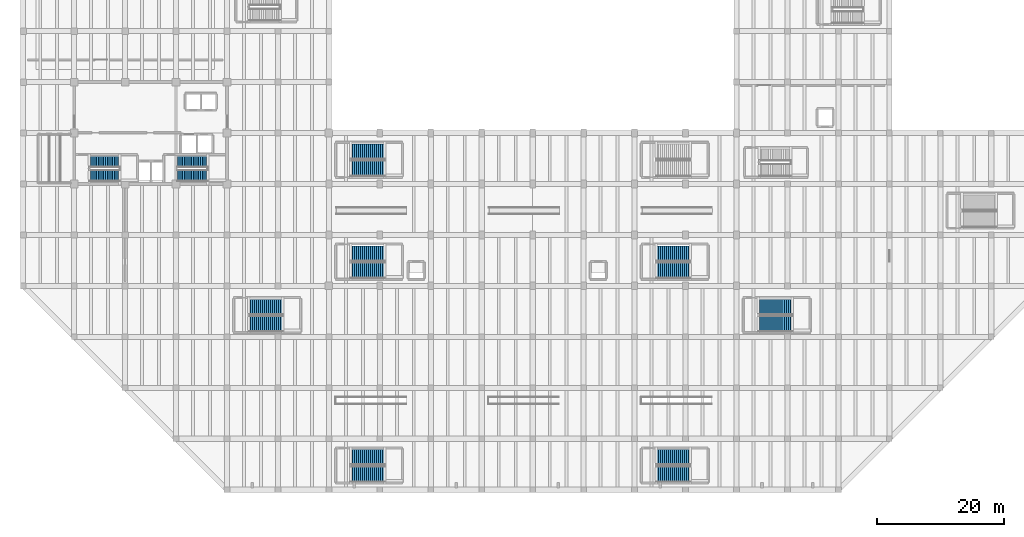
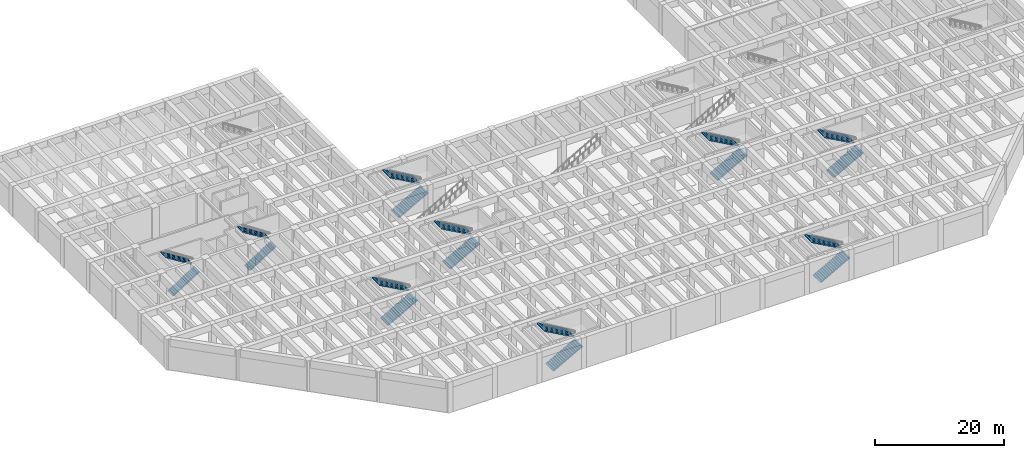
# One storey, part 13 of 24: 18 stair flights, 9 elements without a shape of their own.
"""IFC4 building model written with IfcOpenShell, lengths in metres."""

from ifc_helpers import new_model, si_unit, direction, frame, origin, place, context, subcontext, project, spatial, polyline, outline, extrude, material, type_object, element, aggregate, save


model = new_model("IFC4")

# Units and contexts
model_context = context("Model", 3, precision=1e-05, world=origin(), true_north=direction((0.0, 1.0)))
body_context = subcontext(model_context, "Body", "Model", "MODEL_VIEW")
ifc_project = project(units=[si_unit("LENGTHUNIT", "METRE"), si_unit("AREAUNIT", "SQUARE_METRE"), si_unit("VOLUMEUNIT", "CUBIC_METRE"), si_unit("PLANEANGLEUNIT", "RADIAN"), si_unit("MASSUNIT", "GRAM", prefix="KILO")], contexts=[model_context])

# Site, building, storey
site_placement = place(None, origin())
site = spatial("IfcSite", under=ifc_project, at=site_placement, CompositionType="ELEMENT")
building_placement = place(site_placement, origin())
building = spatial("IfcBuilding", under=site, at=building_placement, Name="Varnela Railside Interchange", CompositionType="ELEMENT")
storey_placement = place(building_placement, frame((0.0, 0.0, -6.300048828125)))
storey = spatial("IfcBuildingStorey", under=building, at=storey_placement, Name="B1", CompositionType="ELEMENT", Elevation=-6.300048828125)

# Stair, stair flights
ifc_material = material(Name="Concrete C40", Category="concrete")
stair_type_1 = type_object("IfcStairType", Name="Core Pressurized Stair ST-165", PredefinedType="TWO_STRAIGHT_RUN_STAIR", material=ifc_material)
stair_1_placement = place(storey_placement, origin())
stair_1 = element("IfcStair", 1, at=stair_1_placement, inside=storey, type_object=stair_type_1, Name="Stair ST-T1 (B1) (SF-076)", PredefinedType="TWO_STRAIGHT_RUN_STAIR")
stair_flight_type_1 = type_object("IfcStairFlightType", Name="Concrete Stair Flight SF-165", PredefinedType="STRAIGHT", material=ifc_material)
stair_flight_1_placement = place(storey_placement, frame((14.39990234375, 55.324951171875, 0.0), z_axis=(0.0, 0.0, 1.0), x_axis=(1.0, 0.0, 0.0)))
stair_flight_1 = element("IfcStairFlight", 2, at=stair_flight_1_placement, type_object=stair_flight_type_1, Name="ST-T1 flight 1 (SF-077)", NumberOfRisers=18, NumberOfTreads=17, PredefinedType="STRAIGHT", RiserHeight=0.175, TreadLength=0.28, context=body_context, shape_type="SweptSolid", body=[
    extrude(outline(polyline([(0.0, 0.0), (0.0, 0.175048828125), (0.280029296875, 0.175048828125), (0.280029296875, 0.35009765625), (0.56005859375, 0.35009765625), (0.56005859375, 0.52490234375), (0.840087890625, 0.52490234375), (0.840087890625, 0.699951171875), (1.1201171875, 0.699951171875), (1.1201171875, 0.875), (1.39990234375, 0.875), (1.39990234375, 1.050048828125), (1.679931640625, 1.050048828125), (1.679931640625, 1.22509765625), (1.9599609375, 1.22509765625), (1.9599609375, 1.39990234375), (2.239990234375, 1.39990234375), (2.239990234375, 1.574951171875), (2.52001953125, 1.574951171875), (2.52001953125, 1.75), (2.800048828125, 1.75), (2.800048828125, 1.925048828125), (3.080078125, 1.925048828125), (3.080078125, 2.10009765625), (3.360107421875, 2.10009765625), (3.360107421875, 2.27490234375), (3.639892578125, 2.27490234375), (3.639892578125, 2.449951171875), (3.919921875, 2.449951171875), (3.919921875, 2.625), (4.199951171875, 2.625), (4.199951171875, 2.800048828125), (4.47998046875, 2.800048828125), (4.47998046875, 2.97509765625), (4.760009765625, 2.97509765625), (4.760009765625, 3.14990234375), (4.760009765625, 2.786376953125), (0.3017578125, 0.0), (0.0, 0.0)])), frame((0.0, 0.824951171875, 0.0), z_axis=(0.0, -1.0, 0.0), x_axis=(1.0, 0.0, 0.0)), (0.0, 0.0, 1.0), 1.64990234375),
])
stair_flight_2_placement = place(storey_placement, frame((19.159912109375, 57.47509765625, 3.150146484375), z_axis=(0.0, 0.0, 1.0), x_axis=(-1.0, 0.0, 0.0)))
stair_flight_2 = element("IfcStairFlight", 3, at=stair_flight_2_placement, type_object=stair_flight_type_1, Name="ST-T1 flight 2 (SF-078)", NumberOfRisers=18, NumberOfTreads=17, PredefinedType="STRAIGHT", RiserHeight=0.175, TreadLength=0.28, context=body_context, shape_type="SweptSolid", body=[
    extrude(outline(polyline([(0.0, 0.0), (0.0, 0.175048828125), (0.280029296875, 0.175048828125), (0.280029296875, 0.35009765625), (0.56005859375, 0.35009765625), (0.56005859375, 0.52490234375), (0.840087890625, 0.52490234375), (0.840087890625, 0.699951171875), (1.1201171875, 0.699951171875), (1.1201171875, 0.875), (1.39990234375, 0.875), (1.39990234375, 1.050048828125), (1.679931640625, 1.050048828125), (1.679931640625, 1.22509765625), (1.9599609375, 1.22509765625), (1.9599609375, 1.39990234375), (2.239990234375, 1.39990234375), (2.239990234375, 1.574951171875), (2.52001953125, 1.574951171875), (2.52001953125, 1.75), (2.800048828125, 1.75), (2.800048828125, 1.925048828125), (3.080078125, 1.925048828125), (3.080078125, 2.10009765625), (3.360107421875, 2.10009765625), (3.360107421875, 2.27490234375), (3.639892578125, 2.27490234375), (3.639892578125, 2.449951171875), (3.919921875, 2.449951171875), (3.919921875, 2.625), (4.199951171875, 2.625), (4.199951171875, 2.800048828125), (4.47998046875, 2.800048828125), (4.47998046875, 2.97509765625), (4.760009765625, 2.97509765625), (4.760009765625, 3.14990234375), (4.760009765625, 2.786376953125), (0.3017578125, 0.0), (0.0, 0.0)])), frame((0.0, 0.824951171875, 0.0), z_axis=(0.0, -1.0, 0.0), x_axis=(1.0, 0.0, 0.0)), (0.0, 0.0, 1.0), 1.64990234375),
])
aggregate(stair_1, [stair_flight_1, stair_flight_2])

stair_2_placement = place(storey_placement, origin())
stair_2 = element("IfcStair", 4, at=stair_2_placement, inside=storey, type_object=stair_type_1, Name="Stair ST-T2 (B1) (SF-079)", PredefinedType="TWO_STRAIGHT_RUN_STAIR")
stair_flight_3_placement = place(storey_placement, frame((28.199951171875, 55.324951171875, 0.0), z_axis=(0.0, 0.0, 1.0), x_axis=(1.0, 0.0, 0.0)))
stair_flight_3 = element("IfcStairFlight", 5, at=stair_flight_3_placement, type_object=stair_flight_type_1, Name="ST-T2 flight 1 (SF-080)", NumberOfRisers=18, NumberOfTreads=17, PredefinedType="STRAIGHT", RiserHeight=0.175, TreadLength=0.28, context=body_context, shape_type="SweptSolid", body=[
    extrude(outline(polyline([(0.0, 0.0), (0.0, 0.175048828125), (0.280029296875, 0.175048828125), (0.280029296875, 0.35009765625), (0.56005859375, 0.35009765625), (0.56005859375, 0.52490234375), (0.840087890625, 0.52490234375), (0.840087890625, 0.699951171875), (1.1201171875, 0.699951171875), (1.1201171875, 0.875), (1.39990234375, 0.875), (1.39990234375, 1.050048828125), (1.679931640625, 1.050048828125), (1.679931640625, 1.22509765625), (1.9599609375, 1.22509765625), (1.9599609375, 1.39990234375), (2.239990234375, 1.39990234375), (2.239990234375, 1.574951171875), (2.52001953125, 1.574951171875), (2.52001953125, 1.75), (2.800048828125, 1.75), (2.800048828125, 1.925048828125), (3.080078125, 1.925048828125), (3.080078125, 2.10009765625), (3.360107421875, 2.10009765625), (3.360107421875, 2.27490234375), (3.639892578125, 2.27490234375), (3.639892578125, 2.449951171875), (3.919921875, 2.449951171875), (3.919921875, 2.625), (4.199951171875, 2.625), (4.199951171875, 2.800048828125), (4.47998046875, 2.800048828125), (4.47998046875, 2.97509765625), (4.760009765625, 2.97509765625), (4.760009765625, 3.14990234375), (4.760009765625, 2.786376953125), (0.3017578125, 0.0), (0.0, 0.0)])), frame((0.0, 0.824951171875, 0.0), z_axis=(0.0, -1.0, 0.0), x_axis=(1.0, 0.0, 0.0)), (0.0, 0.0, 1.0), 1.64990234375),
])
stair_flight_4_placement = place(storey_placement, frame((32.9599609375, 57.47509765625, 3.150146484375), z_axis=(0.0, 0.0, 1.0), x_axis=(-1.0, 0.0, 0.0)))
stair_flight_4 = element("IfcStairFlight", 6, at=stair_flight_4_placement, type_object=stair_flight_type_1, Name="ST-T2 flight 2 (SF-081)", NumberOfRisers=18, NumberOfTreads=17, PredefinedType="STRAIGHT", RiserHeight=0.175, TreadLength=0.28, context=body_context, shape_type="SweptSolid", body=[
    extrude(outline(polyline([(0.0, 0.0), (0.0, 0.175048828125), (0.280029296875, 0.175048828125), (0.280029296875, 0.35009765625), (0.56005859375, 0.35009765625), (0.56005859375, 0.52490234375), (0.840087890625, 0.52490234375), (0.840087890625, 0.699951171875), (1.1201171875, 0.699951171875), (1.1201171875, 0.875), (1.39990234375, 0.875), (1.39990234375, 1.050048828125), (1.679931640625, 1.050048828125), (1.679931640625, 1.22509765625), (1.9599609375, 1.22509765625), (1.9599609375, 1.39990234375), (2.239990234375, 1.39990234375), (2.239990234375, 1.574951171875), (2.52001953125, 1.574951171875), (2.52001953125, 1.75), (2.800048828125, 1.75), (2.800048828125, 1.925048828125), (3.080078125, 1.925048828125), (3.080078125, 2.10009765625), (3.360107421875, 2.10009765625), (3.360107421875, 2.27490234375), (3.639892578125, 2.27490234375), (3.639892578125, 2.449951171875), (3.919921875, 2.449951171875), (3.919921875, 2.625), (4.199951171875, 2.625), (4.199951171875, 2.800048828125), (4.47998046875, 2.800048828125), (4.47998046875, 2.97509765625), (4.760009765625, 2.97509765625), (4.760009765625, 3.14990234375), (4.760009765625, 2.786376953125), (0.3017578125, 0.0), (0.0, 0.0)])), frame((0.0, 0.824951171875, 0.0), z_axis=(0.0, -1.0, 0.0), x_axis=(1.0, 0.0, 0.0)), (0.0, 0.0, 1.0), 1.64990234375),
])
aggregate(stair_2, [stair_flight_3, stair_flight_4])

stair_type_2 = type_object("IfcStairType", Name="Concourse Public Stair ST-235", PredefinedType="TWO_STRAIGHT_RUN_STAIR", material=ifc_material)
stair_3_placement = place(storey_placement, origin())
stair_3 = element("IfcStair", 7, at=stair_3_placement, inside=storey, type_object=stair_type_2, Name="Stair ST-C1 (B1) (SF-043)", PredefinedType="TWO_STRAIGHT_RUN_STAIR")
stair_flight_type_2 = type_object("IfcStairFlightType", Name="Concrete Stair Flight SF-235", PredefinedType="STRAIGHT", material=ifc_material)
stair_flight_5_placement = place(storey_placement, frame((55.39990234375, 40.47509765625, 0.0), z_axis=(0.0, 0.0, 1.0), x_axis=(1.0, 0.0, 0.0)))
stair_flight_5 = element("IfcStairFlight", 8, at=stair_flight_5_placement, type_object=stair_flight_type_2, Name="ST-C1 flight 1 (SF-044)", NumberOfRisers=18, NumberOfTreads=17, PredefinedType="STRAIGHT", RiserHeight=0.175, TreadLength=0.315, context=body_context, shape_type="SweptSolid", body=[
    extrude(outline(polyline([(0.0, 0.0), (0.0, 0.175048828125), (0.31494140625, 0.175048828125), (0.31494140625, 0.35009765625), (0.6298828125, 0.35009765625), (0.6298828125, 0.52490234375), (0.945068359375, 0.52490234375), (0.945068359375, 0.699951171875), (1.260009765625, 0.699951171875), (1.260009765625, 0.875), (1.574951171875, 0.875), (1.574951171875, 1.050048828125), (1.889892578125, 1.050048828125), (1.889892578125, 1.22509765625), (2.205078125, 1.22509765625), (2.205078125, 1.39990234375), (2.52001953125, 1.39990234375), (2.52001953125, 1.574951171875), (2.8349609375, 1.574951171875), (2.8349609375, 1.75), (3.14990234375, 1.75), (3.14990234375, 1.925048828125), (3.465087890625, 1.925048828125), (3.465087890625, 2.10009765625), (3.780029296875, 2.10009765625), (3.780029296875, 2.27490234375), (4.094970703125, 2.27490234375), (4.094970703125, 2.449951171875), (4.409912109375, 2.449951171875), (4.409912109375, 2.625), (4.72509765625, 2.625), (4.72509765625, 2.800048828125), (5.0400390625, 2.800048828125), (5.0400390625, 2.97509765625), (5.35498046875, 2.97509765625), (5.35498046875, 3.14990234375), (5.35498046875, 2.7919921875), (0.329345703125, 0.0), (0.0, 0.0)])), frame((0.0, 1.175048828125, 0.0), z_axis=(0.0, -1.0, 0.0), x_axis=(1.0, 0.0, 0.0)), (0.0, 0.0, 1.0), 2.35009765625),
])
stair_flight_6_placement = place(storey_placement, frame((60.7548828125, 43.125, 3.150146484375), z_axis=(0.0, 0.0, 1.0), x_axis=(-1.0, 0.0, 0.0)))
stair_flight_6 = element("IfcStairFlight", 9, at=stair_flight_6_placement, type_object=stair_flight_type_2, Name="ST-C1 flight 2 (SF-045)", NumberOfRisers=18, NumberOfTreads=17, PredefinedType="STRAIGHT", RiserHeight=0.175, TreadLength=0.315, context=body_context, shape_type="SweptSolid", body=[
    extrude(outline(polyline([(0.0, 0.0), (0.0, 0.175048828125), (0.31494140625, 0.175048828125), (0.31494140625, 0.35009765625), (0.6298828125, 0.35009765625), (0.6298828125, 0.52490234375), (0.945068359375, 0.52490234375), (0.945068359375, 0.699951171875), (1.260009765625, 0.699951171875), (1.260009765625, 0.875), (1.574951171875, 0.875), (1.574951171875, 1.050048828125), (1.889892578125, 1.050048828125), (1.889892578125, 1.22509765625), (2.205078125, 1.22509765625), (2.205078125, 1.39990234375), (2.52001953125, 1.39990234375), (2.52001953125, 1.574951171875), (2.8349609375, 1.574951171875), (2.8349609375, 1.75), (3.14990234375, 1.75), (3.14990234375, 1.925048828125), (3.465087890625, 1.925048828125), (3.465087890625, 2.10009765625), (3.780029296875, 2.10009765625), (3.780029296875, 2.27490234375), (4.094970703125, 2.27490234375), (4.094970703125, 2.449951171875), (4.409912109375, 2.449951171875), (4.409912109375, 2.625), (4.72509765625, 2.625), (4.72509765625, 2.800048828125), (5.0400390625, 2.800048828125), (5.0400390625, 2.97509765625), (5.35498046875, 2.97509765625), (5.35498046875, 3.14990234375), (5.35498046875, 2.7919921875), (0.329345703125, 0.0), (0.0, 0.0)])), frame((0.0, 1.175048828125, 0.0), z_axis=(0.0, -1.0, 0.0), x_axis=(1.0, 0.0, 0.0)), (0.0, 0.0, 1.0), 2.35009765625),
])
aggregate(stair_3, [stair_flight_5, stair_flight_6])

stair_4_placement = place(storey_placement, origin())
stair_4 = element("IfcStair", 10, at=stair_4_placement, inside=storey, type_object=stair_type_2, Name="Stair ST-C2 (B1) (SF-046)", PredefinedType="TWO_STRAIGHT_RUN_STAIR")
stair_flight_7_placement = place(storey_placement, frame((103.39990234375, 40.47509765625, 0.0), z_axis=(0.0, 0.0, 1.0), x_axis=(1.0, 0.0, 0.0)))
stair_flight_7 = element("IfcStairFlight", 11, at=stair_flight_7_placement, type_object=stair_flight_type_2, Name="ST-C2 flight 1 (SF-047)", NumberOfRisers=18, NumberOfTreads=17, PredefinedType="STRAIGHT", RiserHeight=0.175, TreadLength=0.315, context=body_context, shape_type="SweptSolid", body=[
    extrude(outline(polyline([(0.0, 0.0), (0.0, 0.175048828125), (0.31494140625, 0.175048828125), (0.31494140625, 0.35009765625), (0.6298828125, 0.35009765625), (0.6298828125, 0.52490234375), (0.945068359375, 0.52490234375), (0.945068359375, 0.699951171875), (1.260009765625, 0.699951171875), (1.260009765625, 0.875), (1.574951171875, 0.875), (1.574951171875, 1.050048828125), (1.889892578125, 1.050048828125), (1.889892578125, 1.22509765625), (2.205078125, 1.22509765625), (2.205078125, 1.39990234375), (2.52001953125, 1.39990234375), (2.52001953125, 1.574951171875), (2.8349609375, 1.574951171875), (2.8349609375, 1.75), (3.14990234375, 1.75), (3.14990234375, 1.925048828125), (3.465087890625, 1.925048828125), (3.465087890625, 2.10009765625), (3.780029296875, 2.10009765625), (3.780029296875, 2.27490234375), (4.094970703125, 2.27490234375), (4.094970703125, 2.449951171875), (4.409912109375, 2.449951171875), (4.409912109375, 2.625), (4.72509765625, 2.625), (4.72509765625, 2.800048828125), (5.0400390625, 2.800048828125), (5.0400390625, 2.97509765625), (5.35498046875, 2.97509765625), (5.35498046875, 3.14990234375), (5.35498046875, 2.7919921875), (0.329345703125, 0.0), (0.0, 0.0)])), frame((0.0, 1.175048828125, 0.0), z_axis=(0.0, -1.0, 0.0), x_axis=(1.0, 0.0, 0.0)), (0.0, 0.0, 1.0), 2.35009765625),
])
stair_flight_8_placement = place(storey_placement, frame((108.7548828125, 43.125, 3.150146484375), z_axis=(0.0, 0.0, 1.0), x_axis=(-1.0, 0.0, 0.0)))
stair_flight_8 = element("IfcStairFlight", 12, at=stair_flight_8_placement, type_object=stair_flight_type_2, Name="ST-C2 flight 2 (SF-048)", NumberOfRisers=18, NumberOfTreads=17, PredefinedType="STRAIGHT", RiserHeight=0.175, TreadLength=0.315, context=body_context, shape_type="SweptSolid", body=[
    extrude(outline(polyline([(0.0, 0.0), (0.0, 0.175048828125), (0.31494140625, 0.175048828125), (0.31494140625, 0.35009765625), (0.6298828125, 0.35009765625), (0.6298828125, 0.52490234375), (0.945068359375, 0.52490234375), (0.945068359375, 0.699951171875), (1.260009765625, 0.699951171875), (1.260009765625, 0.875), (1.574951171875, 0.875), (1.574951171875, 1.050048828125), (1.889892578125, 1.050048828125), (1.889892578125, 1.22509765625), (2.205078125, 1.22509765625), (2.205078125, 1.39990234375), (2.52001953125, 1.39990234375), (2.52001953125, 1.574951171875), (2.8349609375, 1.574951171875), (2.8349609375, 1.75), (3.14990234375, 1.75), (3.14990234375, 1.925048828125), (3.465087890625, 1.925048828125), (3.465087890625, 2.10009765625), (3.780029296875, 2.10009765625), (3.780029296875, 2.27490234375), (4.094970703125, 2.27490234375), (4.094970703125, 2.449951171875), (4.409912109375, 2.449951171875), (4.409912109375, 2.625), (4.72509765625, 2.625), (4.72509765625, 2.800048828125), (5.0400390625, 2.800048828125), (5.0400390625, 2.97509765625), (5.35498046875, 2.97509765625), (5.35498046875, 3.14990234375), (5.35498046875, 2.7919921875), (0.329345703125, 0.0), (0.0, 0.0)])), frame((0.0, 1.175048828125, 0.0), z_axis=(0.0, -1.0, 0.0), x_axis=(1.0, 0.0, 0.0)), (0.0, 0.0, 1.0), 2.35009765625),
])
aggregate(stair_4, [stair_flight_7, stair_flight_8])

stair_5_placement = place(storey_placement, origin())
stair_5 = element("IfcStair", 13, at=stair_5_placement, inside=storey, type_object=stair_type_2, Name="Stair ST-C3 (B1) (SF-049)", PredefinedType="TWO_STRAIGHT_RUN_STAIR")
stair_flight_9_placement = place(storey_placement, frame((55.39990234375, 56.47509765625, 0.0), z_axis=(0.0, 0.0, 1.0), x_axis=(1.0, 0.0, 0.0)))
stair_flight_9 = element("IfcStairFlight", 14, at=stair_flight_9_placement, type_object=stair_flight_type_2, Name="ST-C3 flight 1 (SF-050)", NumberOfRisers=18, NumberOfTreads=17, PredefinedType="STRAIGHT", RiserHeight=0.175, TreadLength=0.315, context=body_context, shape_type="SweptSolid", body=[
    extrude(outline(polyline([(0.0, 0.0), (0.0, 0.175048828125), (0.31494140625, 0.175048828125), (0.31494140625, 0.35009765625), (0.6298828125, 0.35009765625), (0.6298828125, 0.52490234375), (0.945068359375, 0.52490234375), (0.945068359375, 0.699951171875), (1.260009765625, 0.699951171875), (1.260009765625, 0.875), (1.574951171875, 0.875), (1.574951171875, 1.050048828125), (1.889892578125, 1.050048828125), (1.889892578125, 1.22509765625), (2.205078125, 1.22509765625), (2.205078125, 1.39990234375), (2.52001953125, 1.39990234375), (2.52001953125, 1.574951171875), (2.8349609375, 1.574951171875), (2.8349609375, 1.75), (3.14990234375, 1.75), (3.14990234375, 1.925048828125), (3.465087890625, 1.925048828125), (3.465087890625, 2.10009765625), (3.780029296875, 2.10009765625), (3.780029296875, 2.27490234375), (4.094970703125, 2.27490234375), (4.094970703125, 2.449951171875), (4.409912109375, 2.449951171875), (4.409912109375, 2.625), (4.72509765625, 2.625), (4.72509765625, 2.800048828125), (5.0400390625, 2.800048828125), (5.0400390625, 2.97509765625), (5.35498046875, 2.97509765625), (5.35498046875, 3.14990234375), (5.35498046875, 2.7919921875), (0.329345703125, 0.0), (0.0, 0.0)])), frame((0.0, 1.175048828125, 0.0), z_axis=(0.0, -1.0, 0.0), x_axis=(1.0, 0.0, 0.0)), (0.0, 0.0, 1.0), 2.35009765625),
])
stair_flight_10_placement = place(storey_placement, frame((60.7548828125, 59.125, 3.150146484375), z_axis=(0.0, 0.0, 1.0), x_axis=(-1.0, 0.0, 0.0)))
stair_flight_10 = element("IfcStairFlight", 15, at=stair_flight_10_placement, type_object=stair_flight_type_2, Name="ST-C3 flight 2 (SF-051)", NumberOfRisers=18, NumberOfTreads=17, PredefinedType="STRAIGHT", RiserHeight=0.175, TreadLength=0.315, context=body_context, shape_type="SweptSolid", body=[
    extrude(outline(polyline([(0.0, 0.0), (0.0, 0.175048828125), (0.31494140625, 0.175048828125), (0.31494140625, 0.35009765625), (0.6298828125, 0.35009765625), (0.6298828125, 0.52490234375), (0.945068359375, 0.52490234375), (0.945068359375, 0.699951171875), (1.260009765625, 0.699951171875), (1.260009765625, 0.875), (1.574951171875, 0.875), (1.574951171875, 1.050048828125), (1.889892578125, 1.050048828125), (1.889892578125, 1.22509765625), (2.205078125, 1.22509765625), (2.205078125, 1.39990234375), (2.52001953125, 1.39990234375), (2.52001953125, 1.574951171875), (2.8349609375, 1.574951171875), (2.8349609375, 1.75), (3.14990234375, 1.75), (3.14990234375, 1.925048828125), (3.465087890625, 1.925048828125), (3.465087890625, 2.10009765625), (3.780029296875, 2.10009765625), (3.780029296875, 2.27490234375), (4.094970703125, 2.27490234375), (4.094970703125, 2.449951171875), (4.409912109375, 2.449951171875), (4.409912109375, 2.625), (4.72509765625, 2.625), (4.72509765625, 2.800048828125), (5.0400390625, 2.800048828125), (5.0400390625, 2.97509765625), (5.35498046875, 2.97509765625), (5.35498046875, 3.14990234375), (5.35498046875, 2.7919921875), (0.329345703125, 0.0), (0.0, 0.0)])), frame((0.0, 1.175048828125, 0.0), z_axis=(0.0, -1.0, 0.0), x_axis=(1.0, 0.0, 0.0)), (0.0, 0.0, 1.0), 2.35009765625),
])
aggregate(stair_5, [stair_flight_9, stair_flight_10])

stair_6_placement = place(storey_placement, origin())
stair_6 = element("IfcStair", 16, at=stair_6_placement, inside=storey, type_object=stair_type_2, Name="Stair ST-M1 (B1) (SF-064)", PredefinedType="TWO_STRAIGHT_RUN_STAIR")
stair_flight_11_placement = place(storey_placement, frame((39.39990234375, 32.074951171875, 0.0), z_axis=(0.0, 0.0, 1.0), x_axis=(1.0, 0.0, 0.0)))
stair_flight_11 = element("IfcStairFlight", 17, at=stair_flight_11_placement, type_object=stair_flight_type_2, Name="ST-M1 flight 1 (SF-065)", NumberOfRisers=18, NumberOfTreads=17, PredefinedType="STRAIGHT", RiserHeight=0.175, TreadLength=0.315, context=body_context, shape_type="SweptSolid", body=[
    extrude(outline(polyline([(0.0, 0.0), (0.0, 0.175048828125), (0.31494140625, 0.175048828125), (0.31494140625, 0.35009765625), (0.6298828125, 0.35009765625), (0.6298828125, 0.52490234375), (0.945068359375, 0.52490234375), (0.945068359375, 0.699951171875), (1.260009765625, 0.699951171875), (1.260009765625, 0.875), (1.574951171875, 0.875), (1.574951171875, 1.050048828125), (1.889892578125, 1.050048828125), (1.889892578125, 1.22509765625), (2.205078125, 1.22509765625), (2.205078125, 1.39990234375), (2.52001953125, 1.39990234375), (2.52001953125, 1.574951171875), (2.8349609375, 1.574951171875), (2.8349609375, 1.75), (3.14990234375, 1.75), (3.14990234375, 1.925048828125), (3.465087890625, 1.925048828125), (3.465087890625, 2.10009765625), (3.780029296875, 2.10009765625), (3.780029296875, 2.27490234375), (4.094970703125, 2.27490234375), (4.094970703125, 2.449951171875), (4.409912109375, 2.449951171875), (4.409912109375, 2.625), (4.72509765625, 2.625), (4.72509765625, 2.800048828125), (5.0400390625, 2.800048828125), (5.0400390625, 2.97509765625), (5.35498046875, 2.97509765625), (5.35498046875, 3.14990234375), (5.35498046875, 2.7919921875), (0.329345703125, 0.0), (0.0, 0.0)])), frame((0.0, 1.175048828125, 0.0), z_axis=(0.0, -1.0, 0.0), x_axis=(1.0, 0.0, 0.0)), (0.0, 0.0, 1.0), 2.35009765625),
])
stair_flight_12_placement = place(storey_placement, frame((44.7548828125, 34.72509765625, 3.150146484375), z_axis=(0.0, 0.0, 1.0), x_axis=(-1.0, 0.0, 0.0)))
stair_flight_12 = element("IfcStairFlight", 18, at=stair_flight_12_placement, type_object=stair_flight_type_2, Name="ST-M1 flight 2 (SF-066)", NumberOfRisers=18, NumberOfTreads=17, PredefinedType="STRAIGHT", RiserHeight=0.175, TreadLength=0.315, context=body_context, shape_type="SweptSolid", body=[
    extrude(outline(polyline([(0.0, 0.0), (0.0, 0.175048828125), (0.31494140625, 0.175048828125), (0.31494140625, 0.35009765625), (0.6298828125, 0.35009765625), (0.6298828125, 0.52490234375), (0.945068359375, 0.52490234375), (0.945068359375, 0.699951171875), (1.260009765625, 0.699951171875), (1.260009765625, 0.875), (1.574951171875, 0.875), (1.574951171875, 1.050048828125), (1.889892578125, 1.050048828125), (1.889892578125, 1.22509765625), (2.205078125, 1.22509765625), (2.205078125, 1.39990234375), (2.52001953125, 1.39990234375), (2.52001953125, 1.574951171875), (2.8349609375, 1.574951171875), (2.8349609375, 1.75), (3.14990234375, 1.75), (3.14990234375, 1.925048828125), (3.465087890625, 1.925048828125), (3.465087890625, 2.10009765625), (3.780029296875, 2.10009765625), (3.780029296875, 2.27490234375), (4.094970703125, 2.27490234375), (4.094970703125, 2.449951171875), (4.409912109375, 2.449951171875), (4.409912109375, 2.625), (4.72509765625, 2.625), (4.72509765625, 2.800048828125), (5.0400390625, 2.800048828125), (5.0400390625, 2.97509765625), (5.35498046875, 2.97509765625), (5.35498046875, 3.14990234375), (5.35498046875, 2.7919921875), (0.329345703125, 0.0), (0.0, 0.0)])), frame((0.0, 1.175048828125, 0.0), z_axis=(0.0, -1.0, 0.0), x_axis=(1.0, 0.0, 0.0)), (0.0, 0.0, 1.0), 2.35009765625),
])
aggregate(stair_6, [stair_flight_11, stair_flight_12])

stair_7_placement = place(storey_placement, origin())
stair_7 = element("IfcStair", 19, at=stair_7_placement, inside=storey, type_object=stair_type_2, Name="Stair ST-M2 (B1) (SF-067)", PredefinedType="TWO_STRAIGHT_RUN_STAIR")
stair_flight_13_placement = place(storey_placement, frame((119.39990234375, 32.074951171875, 0.0), z_axis=(0.0, 0.0, 1.0), x_axis=(1.0, 0.0, 0.0)))
stair_flight_13 = element("IfcStairFlight", 20, at=stair_flight_13_placement, type_object=stair_flight_type_2, Name="ST-M2 flight 1 (SF-068)", NumberOfRisers=18, NumberOfTreads=17, PredefinedType="STRAIGHT", RiserHeight=0.175, TreadLength=0.315, context=body_context, shape_type="SweptSolid", body=[
    extrude(outline(polyline([(0.0, 0.0), (0.0, 0.175048828125), (0.31494140625, 0.175048828125), (0.31494140625, 0.35009765625), (0.6298828125, 0.35009765625), (0.6298828125, 0.52490234375), (0.945068359375, 0.52490234375), (0.945068359375, 0.699951171875), (1.260009765625, 0.699951171875), (1.260009765625, 0.875), (1.574951171875, 0.875), (1.574951171875, 1.050048828125), (1.889892578125, 1.050048828125), (1.889892578125, 1.22509765625), (2.205078125, 1.22509765625), (2.205078125, 1.39990234375), (2.52001953125, 1.39990234375), (2.52001953125, 1.574951171875), (2.8349609375, 1.574951171875), (2.8349609375, 1.75), (3.14990234375, 1.75), (3.14990234375, 1.925048828125), (3.465087890625, 1.925048828125), (3.465087890625, 2.10009765625), (3.780029296875, 2.10009765625), (3.780029296875, 2.27490234375), (4.094970703125, 2.27490234375), (4.094970703125, 2.449951171875), (4.409912109375, 2.449951171875), (4.409912109375, 2.625), (4.72509765625, 2.625), (4.72509765625, 2.800048828125), (5.0400390625, 2.800048828125), (5.0400390625, 2.97509765625), (5.35498046875, 2.97509765625), (5.35498046875, 3.14990234375), (5.35498046875, 2.7919921875), (0.329345703125, 0.0), (0.0, 0.0)])), frame((0.0, 1.175048828125, 0.0), z_axis=(0.0, -1.0, 0.0), x_axis=(1.0, 0.0, 0.0)), (0.0, 0.0, 1.0), 2.35009765625),
])
stair_flight_14_placement = place(storey_placement, frame((124.7548828125, 34.72509765625, 3.150146484375), z_axis=(0.0, 0.0, 1.0), x_axis=(-1.0, 0.0, 0.0)))
stair_flight_14 = element("IfcStairFlight", 21, at=stair_flight_14_placement, type_object=stair_flight_type_2, Name="ST-M2 flight 2 (SF-069)", NumberOfRisers=18, NumberOfTreads=17, PredefinedType="STRAIGHT", RiserHeight=0.175, TreadLength=0.315, context=body_context, shape_type="SweptSolid", body=[
    extrude(outline(polyline([(0.0, 0.0), (0.0, 0.175048828125), (0.31494140625, 0.175048828125), (0.31494140625, 0.35009765625), (0.6298828125, 0.35009765625), (0.6298828125, 0.52490234375), (0.945068359375, 0.52490234375), (0.945068359375, 0.699951171875), (1.260009765625, 0.699951171875), (1.260009765625, 0.875), (1.574951171875, 0.875), (1.574951171875, 1.050048828125), (1.889892578125, 1.050048828125), (1.889892578125, 1.22509765625), (2.205078125, 1.22509765625), (2.205078125, 1.39990234375), (2.52001953125, 1.39990234375), (2.52001953125, 1.574951171875), (2.8349609375, 1.574951171875), (2.8349609375, 1.75), (3.14990234375, 1.75), (3.14990234375, 1.925048828125), (3.465087890625, 1.925048828125), (3.465087890625, 2.10009765625), (3.780029296875, 2.10009765625), (3.780029296875, 2.27490234375), (4.094970703125, 2.27490234375), (4.094970703125, 2.449951171875), (4.409912109375, 2.449951171875), (4.409912109375, 2.625), (4.72509765625, 2.625), (4.72509765625, 2.800048828125), (5.0400390625, 2.800048828125), (5.0400390625, 2.97509765625), (5.35498046875, 2.97509765625), (5.35498046875, 3.14990234375), (5.35498046875, 2.7919921875), (0.329345703125, 0.0), (0.0, 0.0)])), frame((0.0, 1.175048828125, 0.0), z_axis=(0.0, -1.0, 0.0), x_axis=(1.0, 0.0, 0.0)), (0.0, 0.0, 1.0), 2.35009765625),
])
aggregate(stair_7, [stair_flight_13, stair_flight_14])

stair_8_placement = place(storey_placement, origin())
stair_8 = element("IfcStair", 22, at=stair_8_placement, inside=storey, type_object=stair_type_2, Name="Stair ST-M3 (B1) (SF-070)", PredefinedType="TWO_STRAIGHT_RUN_STAIR")
stair_flight_15_placement = place(storey_placement, frame((55.39990234375, 8.47509765625, 0.0), z_axis=(0.0, 0.0, 1.0), x_axis=(1.0, 0.0, 0.0)))
stair_flight_15 = element("IfcStairFlight", 23, at=stair_flight_15_placement, type_object=stair_flight_type_2, Name="ST-M3 flight 1 (SF-071)", NumberOfRisers=18, NumberOfTreads=17, PredefinedType="STRAIGHT", RiserHeight=0.175, TreadLength=0.315, context=body_context, shape_type="SweptSolid", body=[
    extrude(outline(polyline([(0.0, 0.0), (0.0, 0.175048828125), (0.31494140625, 0.175048828125), (0.31494140625, 0.35009765625), (0.6298828125, 0.35009765625), (0.6298828125, 0.52490234375), (0.945068359375, 0.52490234375), (0.945068359375, 0.699951171875), (1.260009765625, 0.699951171875), (1.260009765625, 0.875), (1.574951171875, 0.875), (1.574951171875, 1.050048828125), (1.889892578125, 1.050048828125), (1.889892578125, 1.22509765625), (2.205078125, 1.22509765625), (2.205078125, 1.39990234375), (2.52001953125, 1.39990234375), (2.52001953125, 1.574951171875), (2.8349609375, 1.574951171875), (2.8349609375, 1.75), (3.14990234375, 1.75), (3.14990234375, 1.925048828125), (3.465087890625, 1.925048828125), (3.465087890625, 2.10009765625), (3.780029296875, 2.10009765625), (3.780029296875, 2.27490234375), (4.094970703125, 2.27490234375), (4.094970703125, 2.449951171875), (4.409912109375, 2.449951171875), (4.409912109375, 2.625), (4.72509765625, 2.625), (4.72509765625, 2.800048828125), (5.0400390625, 2.800048828125), (5.0400390625, 2.97509765625), (5.35498046875, 2.97509765625), (5.35498046875, 3.14990234375), (5.35498046875, 2.7919921875), (0.329345703125, 0.0), (0.0, 0.0)])), frame((0.0, 1.175048828125, 0.0), z_axis=(0.0, -1.0, 0.0), x_axis=(1.0, 0.0, 0.0)), (0.0, 0.0, 1.0), 2.35009765625),
])
stair_flight_16_placement = place(storey_placement, frame((60.7548828125, 11.125, 3.150146484375), z_axis=(0.0, 0.0, 1.0), x_axis=(-1.0, 0.0, 0.0)))
stair_flight_16 = element("IfcStairFlight", 24, at=stair_flight_16_placement, type_object=stair_flight_type_2, Name="ST-M3 flight 2 (SF-072)", NumberOfRisers=18, NumberOfTreads=17, PredefinedType="STRAIGHT", RiserHeight=0.175, TreadLength=0.315, context=body_context, shape_type="SweptSolid", body=[
    extrude(outline(polyline([(0.0, 0.0), (0.0, 0.175048828125), (0.31494140625, 0.175048828125), (0.31494140625, 0.35009765625), (0.6298828125, 0.35009765625), (0.6298828125, 0.52490234375), (0.945068359375, 0.52490234375), (0.945068359375, 0.699951171875), (1.260009765625, 0.699951171875), (1.260009765625, 0.875), (1.574951171875, 0.875), (1.574951171875, 1.050048828125), (1.889892578125, 1.050048828125), (1.889892578125, 1.22509765625), (2.205078125, 1.22509765625), (2.205078125, 1.39990234375), (2.52001953125, 1.39990234375), (2.52001953125, 1.574951171875), (2.8349609375, 1.574951171875), (2.8349609375, 1.75), (3.14990234375, 1.75), (3.14990234375, 1.925048828125), (3.465087890625, 1.925048828125), (3.465087890625, 2.10009765625), (3.780029296875, 2.10009765625), (3.780029296875, 2.27490234375), (4.094970703125, 2.27490234375), (4.094970703125, 2.449951171875), (4.409912109375, 2.449951171875), (4.409912109375, 2.625), (4.72509765625, 2.625), (4.72509765625, 2.800048828125), (5.0400390625, 2.800048828125), (5.0400390625, 2.97509765625), (5.35498046875, 2.97509765625), (5.35498046875, 3.14990234375), (5.35498046875, 2.7919921875), (0.329345703125, 0.0), (0.0, 0.0)])), frame((0.0, 1.175048828125, 0.0), z_axis=(0.0, -1.0, 0.0), x_axis=(1.0, 0.0, 0.0)), (0.0, 0.0, 1.0), 2.35009765625),
])
aggregate(stair_8, [stair_flight_15, stair_flight_16])

stair_9_placement = place(storey_placement, origin())
stair_9 = element("IfcStair", 25, at=stair_9_placement, inside=storey, type_object=stair_type_2, Name="Stair ST-M4 (B1) (SF-073)", PredefinedType="TWO_STRAIGHT_RUN_STAIR")
stair_flight_17_placement = place(storey_placement, frame((103.39990234375, 8.47509765625, 0.0), z_axis=(0.0, 0.0, 1.0), x_axis=(1.0, 0.0, 0.0)))
stair_flight_17 = element("IfcStairFlight", 26, at=stair_flight_17_placement, type_object=stair_flight_type_2, Name="ST-M4 flight 1 (SF-074)", NumberOfRisers=18, NumberOfTreads=17, PredefinedType="STRAIGHT", RiserHeight=0.175, TreadLength=0.315, context=body_context, shape_type="SweptSolid", body=[
    extrude(outline(polyline([(0.0, 0.0), (0.0, 0.175048828125), (0.31494140625, 0.175048828125), (0.31494140625, 0.35009765625), (0.6298828125, 0.35009765625), (0.6298828125, 0.52490234375), (0.945068359375, 0.52490234375), (0.945068359375, 0.699951171875), (1.260009765625, 0.699951171875), (1.260009765625, 0.875), (1.574951171875, 0.875), (1.574951171875, 1.050048828125), (1.889892578125, 1.050048828125), (1.889892578125, 1.22509765625), (2.205078125, 1.22509765625), (2.205078125, 1.39990234375), (2.52001953125, 1.39990234375), (2.52001953125, 1.574951171875), (2.8349609375, 1.574951171875), (2.8349609375, 1.75), (3.14990234375, 1.75), (3.14990234375, 1.925048828125), (3.465087890625, 1.925048828125), (3.465087890625, 2.10009765625), (3.780029296875, 2.10009765625), (3.780029296875, 2.27490234375), (4.094970703125, 2.27490234375), (4.094970703125, 2.449951171875), (4.409912109375, 2.449951171875), (4.409912109375, 2.625), (4.72509765625, 2.625), (4.72509765625, 2.800048828125), (5.0400390625, 2.800048828125), (5.0400390625, 2.97509765625), (5.35498046875, 2.97509765625), (5.35498046875, 3.14990234375), (5.35498046875, 2.7919921875), (0.329345703125, 0.0), (0.0, 0.0)])), frame((0.0, 1.175048828125, 0.0), z_axis=(0.0, -1.0, 0.0), x_axis=(1.0, 0.0, 0.0)), (0.0, 0.0, 1.0), 2.35009765625),
])
stair_flight_18_placement = place(storey_placement, frame((108.7548828125, 11.125, 3.150146484375), z_axis=(0.0, 0.0, 1.0), x_axis=(-1.0, 0.0, 0.0)))
stair_flight_18 = element("IfcStairFlight", 27, at=stair_flight_18_placement, type_object=stair_flight_type_2, Name="ST-M4 flight 2 (SF-075)", NumberOfRisers=18, NumberOfTreads=17, PredefinedType="STRAIGHT", RiserHeight=0.175, TreadLength=0.315, context=body_context, shape_type="SweptSolid", body=[
    extrude(outline(polyline([(0.0, 0.0), (0.0, 0.175048828125), (0.31494140625, 0.175048828125), (0.31494140625, 0.35009765625), (0.6298828125, 0.35009765625), (0.6298828125, 0.52490234375), (0.945068359375, 0.52490234375), (0.945068359375, 0.699951171875), (1.260009765625, 0.699951171875), (1.260009765625, 0.875), (1.574951171875, 0.875), (1.574951171875, 1.050048828125), (1.889892578125, 1.050048828125), (1.889892578125, 1.22509765625), (2.205078125, 1.22509765625), (2.205078125, 1.39990234375), (2.52001953125, 1.39990234375), (2.52001953125, 1.574951171875), (2.8349609375, 1.574951171875), (2.8349609375, 1.75), (3.14990234375, 1.75), (3.14990234375, 1.925048828125), (3.465087890625, 1.925048828125), (3.465087890625, 2.10009765625), (3.780029296875, 2.10009765625), (3.780029296875, 2.27490234375), (4.094970703125, 2.27490234375), (4.094970703125, 2.449951171875), (4.409912109375, 2.449951171875), (4.409912109375, 2.625), (4.72509765625, 2.625), (4.72509765625, 2.800048828125), (5.0400390625, 2.800048828125), (5.0400390625, 2.97509765625), (5.35498046875, 2.97509765625), (5.35498046875, 3.14990234375), (5.35498046875, 2.7919921875), (0.329345703125, 0.0), (0.0, 0.0)])), frame((0.0, 1.175048828125, 0.0), z_axis=(0.0, -1.0, 0.0), x_axis=(1.0, 0.0, 0.0)), (0.0, 0.0, 1.0), 2.35009765625),
])
aggregate(stair_9, [stair_flight_17, stair_flight_18])

save(model, "model.ifc")
